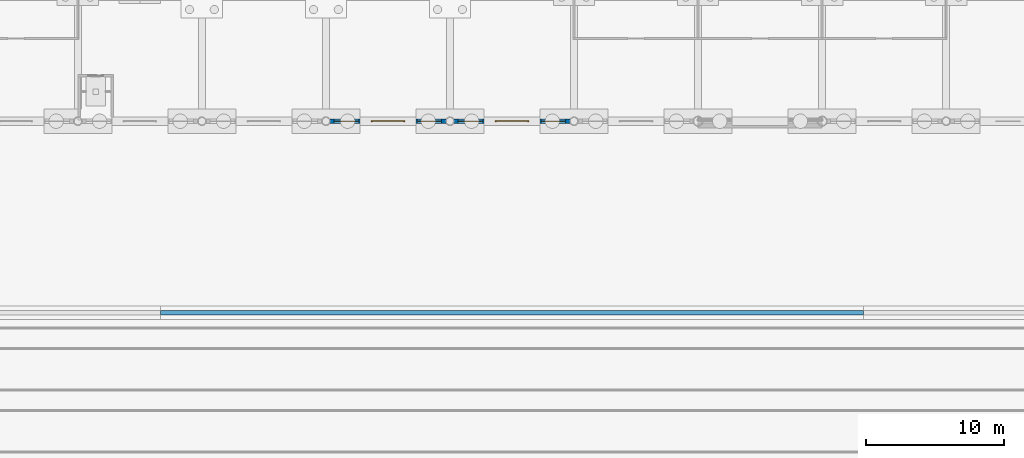
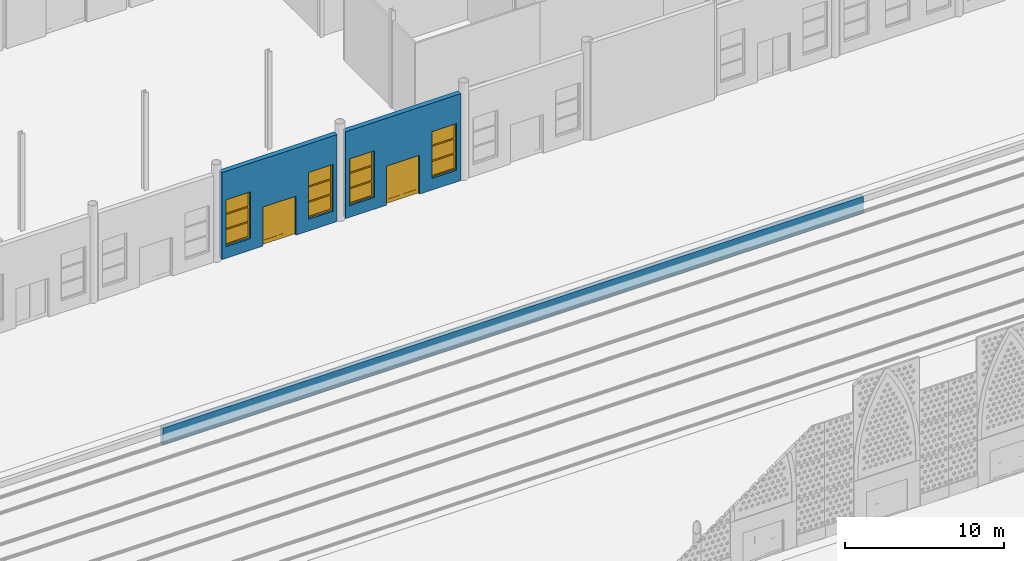
# One storey, part 124 of 250: 4 windows, 3 walls, 2 doors, 6 openings.
"""IFC4 building model written with IfcOpenShell, lengths in metres."""

from ifc_helpers import new_model, si_unit, direction, frame, frame_2d, origin, place, context, subcontext, project, spatial, polyline, rectangle, outline, extrude, material, layer, layer_set, type_object, element, fill, save


model = new_model("IFC4")

# Units and contexts
model_context = context("Model", 3, precision=1e-05, world=origin(), true_north=direction((0.0, 1.0)))
body_context = subcontext(model_context, "Body", "Model", "MODEL_VIEW")
ifc_project = project(units=[si_unit("LENGTHUNIT", "METRE"), si_unit("AREAUNIT", "SQUARE_METRE"), si_unit("VOLUMEUNIT", "CUBIC_METRE"), si_unit("PLANEANGLEUNIT", "RADIAN"), si_unit("MASSUNIT", "GRAM", prefix="KILO")], contexts=[model_context])

# Site, building, storey
site_placement = place(None, origin())
site = spatial("IfcSite", under=ifc_project, at=site_placement, CompositionType="ELEMENT")
building_placement = place(site_placement, origin())
building = spatial("IfcBuilding", under=site, at=building_placement, Name="Baradari Gate Terminus", CompositionType="ELEMENT")
storey_placement = place(building_placement, origin())
storey = spatial("IfcBuildingStorey", under=building, at=storey_placement, Name="L00", CompositionType="ELEMENT", Elevation=0.0)

# Wall
ifc_material_1 = material(Name="Concrete C40/50", Category="concrete")
ifc_layer_1 = layer(ifc_material_1, 0.300048828125)
ifc_layer_set_1 = layer_set([ifc_layer_1], Name="Concrete C40/50")
wall_type_1 = type_object("IfcWallType", Name="Platform edge wall CWL06 300", PredefinedType="SOLIDWALL", material=ifc_layer_set_1)
wall_1_placement = place(storey_placement, frame((141.0, 67.10009765625, -1.572021484375), z_axis=(0.0, 0.0, 1.0), x_axis=(1.0, 0.0, 0.0)))
element("IfcWall", 1, at=wall_1_placement, inside=storey, type_object=wall_type_1, Name="Platform 2 edge wall 3", PredefinedType="SOLIDWALL", context=body_context, shape_type="SweptSolid", body=[
    extrude(rectangle(XDim=51.0, YDim=0.300048828125, at=frame_2d((25.5, 0.0))), origin(), (0.0, 0.0, 1.0), 1.322021484375),
])

# Wall, openings, door, windows
ifc_material_2 = material(Name="Sandstone masonry", Category="masonry")
ifc_layer_2 = layer(ifc_material_2, 0.35009765625)
ifc_layer_set_2 = layer_set([ifc_layer_2], Name="Sandstone masonry")
wall_type_2 = type_object("IfcWallType", Name="Sandstone masonry wall WS-1 350", PredefinedType="SOLIDWALL", material=ifc_layer_set_2)
wall_2_placement = place(storey_placement, frame((153.304931640625, 81.0, 0.0), z_axis=(0.0, 0.0, 1.0), x_axis=(1.0, 0.0, 0.0)))
wall_2 = element("IfcWall", 2, at=wall_2_placement, inside=storey, type_object=wall_type_2, Name="platform side HS bay 18 L00", PredefinedType="SOLIDWALL", context=body_context, shape_type="SweptSolid", body=[
    extrude(rectangle(XDim=8.39013671875, YDim=0.35009765625, at=frame_2d((4.195068359375, 0.0))), origin(), (0.0, 0.0, 1.0), 6.692138671875),
])
opening_1_placement = place(wall_2_placement, frame((2.9951171875, 0.0, 0.0)))
opening_1 = element("IfcOpeningElement", 3, at=opening_1_placement, cuts=wall_2, Name="Opening D00-038", PredefinedType="OPENING", context=body_context, shape_type="SweptSolid", body=[
    extrude(rectangle(XDim=2.39990234375, YDim=3.0, at=frame_2d((1.199951171875, 1.5))), frame((0.0, 0.18505859375, 0.0), z_axis=(0.0, -1.0, 0.0), x_axis=(1.0, 0.0, 0.0)), (0.0, 0.0, 1.0), 0.3701171875),
])
opening_2_placement = place(wall_2_placement, frame((0.294921875, 0.0, 0.89990234375)))
opening_2 = element("IfcOpeningElement", 4, at=opening_2_placement, cuts=wall_2, Name="Opening W3", PredefinedType="OPENING", context=body_context, shape_type="SweptSolid", body=[
    extrude(rectangle(XDim=1.800048828125, YDim=3.60009765625, at=frame_2d((0.89990234375, 1.800048828125))), frame((0.0, 0.18505859375, 0.0), z_axis=(0.0, -1.0, 0.0), x_axis=(1.0, 0.0, 0.0)), (0.0, 0.0, 1.0), 0.3701171875),
])
opening_3_placement = place(wall_2_placement, frame((6.294921875, 0.0, 0.89990234375)))
opening_3 = element("IfcOpeningElement", 5, at=opening_3_placement, cuts=wall_2, Name="Opening W3", PredefinedType="OPENING", context=body_context, shape_type="SweptSolid", body=[
    extrude(rectangle(XDim=1.800048828125, YDim=3.60009765625, at=frame_2d((0.89990234375, 1.800048828125))), frame((0.0, 0.18505859375, 0.0), z_axis=(0.0, -1.0, 0.0), x_axis=(1.0, 0.0, 0.0)), (0.0, 0.0, 1.0), 0.3701171875),
])
ifc_material_3 = material(Name="Aluminium 6063-T6", Category="aluminium")
door_type = type_object("IfcDoorType", Name="Platform door pair, glazed DT-7 2400x3000", OperationType="DOUBLE_DOOR_SINGLE_SWING", PredefinedType="DOOR", material=ifc_material_3)
door_1_placement = place(opening_1_placement, frame((2.39990234375, 0.0, 0.0), z_axis=(0.0, 0.0, 1.0), x_axis=(-1.0, 0.0, 0.0)))
door_1 = element("IfcDoor", 6, at=door_1_placement, inside=storey, type_object=door_type, Name="Exit door Ticket Hall (Barrier Line)", OperationType="DOUBLE_DOOR_SINGLE_SWING", OverallHeight=3.0, OverallWidth=2.4, PredefinedType="DOOR", context=body_context, shape_type="SweptSolid", body=[
    extrude(outline(polyline([(0.0, 0.0), (0.070068359375, 0.0), (0.070068359375, 2.929931640625), (2.329833984375, 2.929931640625), (2.329833984375, 0.0), (2.39990234375, 0.0), (2.39990234375, 3.0), (0.0, 3.0), (0.0, 0.0)])), frame((0.0, 0.02490234375, 0.0), z_axis=(0.0, -1.0, 0.0), x_axis=(1.0, 0.0, 0.0)), (0.0, 0.0, 1.0), 0.050048828125),
    extrude(outline(polyline([(0.073974609375, 0.010009765625), (1.19677734375, 0.010009765625), (1.19677734375, 2.926025390625), (0.073974609375, 2.926025390625), (0.073974609375, 0.010009765625)]), holes=[polyline([(0.1640625, 0.31005859375), (1.10693359375, 0.31005859375), (1.10693359375, 2.8359375), (0.1640625, 2.8359375), (0.1640625, 0.31005859375)])]), frame((0.0, 0.017333984375, 0.0), z_axis=(0.0, -1.0, 0.0), x_axis=(1.0, 0.0, 0.0)), (0.0, 0.0, 1.0), 0.034912109375),
    extrude(rectangle(XDim=0.94287109375, YDim=2.52587890625, at=frame_2d((0.635498046875, 1.572998046875))), frame((0.0, 0.005859375, 0.0), z_axis=(0.0, -1.0, 0.0), x_axis=(1.0, 0.0, 0.0)), (0.0, 0.0, 1.0), 0.011962890625),
    extrude(outline(polyline([(1.203125, 0.010009765625), (2.325927734375, 0.010009765625), (2.325927734375, 2.926025390625), (1.203125, 2.926025390625), (1.203125, 0.010009765625)]), holes=[polyline([(1.29296875, 0.31005859375), (2.23583984375, 0.31005859375), (2.23583984375, 2.8359375), (1.29296875, 2.8359375), (1.29296875, 0.31005859375)])]), frame((0.0, 0.017333984375, 0.0), z_axis=(0.0, -1.0, 0.0), x_axis=(1.0, 0.0, 0.0)), (0.0, 0.0, 1.0), 0.034912109375),
    extrude(rectangle(XDim=0.94287109375, YDim=2.52587890625, at=frame_2d((1.764404296875, 1.572998046875))), frame((0.0, 0.005859375, 0.0), z_axis=(0.0, -1.0, 0.0), x_axis=(1.0, 0.0, 0.0)), (0.0, 0.0, 1.0), 0.011962890625),
])
fill(opening_1, door_1)
ifc_material_4 = material(Name="Aluminium 6063-T6", Category="aluminium")
window_type = type_object("IfcWindowType", Name="Tall window, 3-light W3 1800x3600", PartitioningType="TRIPLE_PANEL_HORIZONTAL", PredefinedType="WINDOW", material=ifc_material_4)
window_1_placement = place(opening_2_placement, origin())
window_1 = element("IfcWindow", 7, at=window_1_placement, inside=storey, type_object=window_type, Name="Window W3 HS/17", OverallHeight=3.6, OverallWidth=1.8, PartitioningType="TRIPLE_PANEL_HORIZONTAL", PredefinedType="WINDOW", context=body_context, shape_type="SweptSolid", body=[
    extrude(outline(polyline([(0.0, 0.0), (1.800048828125, 0.0), (1.800048828125, 3.60009765625), (0.0, 3.60009765625), (0.0, 0.0)]), holes=[polyline([(0.070068359375, 0.070068359375), (1.72998046875, 0.070068359375), (1.72998046875, 3.530029296875), (0.070068359375, 3.530029296875), (0.070068359375, 0.070068359375)])]), frame((0.0, 0.030029296875, 0.0), z_axis=(0.0, -1.0, 0.0), x_axis=(1.0, 0.0, 0.0)), (0.0, 0.0, 1.0), 0.06005859375),
    extrude(rectangle(XDim=1.659912109375, YDim=0.0400390625, at=frame_2d((0.89990234375, 1.216796875))), frame((0.0, 0.021484375, 0.0), z_axis=(0.0, -1.0, 0.0), x_axis=(1.0, 0.0, 0.0)), (0.0, 0.0, 1.0), 0.04296875),
    extrude(rectangle(XDim=1.659912109375, YDim=0.0400390625, at=frame_2d((0.89990234375, 2.38330078125))), frame((0.0, 0.021484375, 0.0), z_axis=(0.0, -1.0, 0.0), x_axis=(1.0, 0.0, 0.0)), (0.0, 0.0, 1.0), 0.04296875),
    extrude(outline(polyline([(0.070068359375, 0.070068359375), (1.72998046875, 0.070068359375), (1.72998046875, 1.19677734375), (0.070068359375, 1.19677734375), (0.070068359375, 0.070068359375)]), holes=[polyline([(0.10009765625, 0.10009765625), (1.699951171875, 0.10009765625), (1.699951171875, 1.166748046875), (0.10009765625, 1.166748046875), (0.10009765625, 0.10009765625)])]), frame((0.0, 0.0224609375, 0.0), z_axis=(0.0, -1.0, 0.0), x_axis=(1.0, 0.0, 0.0)), (0.0, 0.0, 1.0), 0.044921875),
    extrude(rectangle(XDim=1.599853515625, YDim=1.066650390625, at=frame_2d((0.89990234375, 0.63330078125))), frame((0.0, 0.006103515625, 0.0), z_axis=(0.0, -1.0, 0.0), x_axis=(1.0, 0.0, 0.0)), (0.0, 0.0, 1.0), 0.01220703125),
    extrude(outline(polyline([(0.070068359375, 1.23681640625), (1.72998046875, 1.23681640625), (1.72998046875, 2.36328125), (0.070068359375, 2.36328125), (0.070068359375, 1.23681640625)]), holes=[polyline([(0.10009765625, 1.266845703125), (1.699951171875, 1.266845703125), (1.699951171875, 2.333251953125), (0.10009765625, 2.333251953125), (0.10009765625, 1.266845703125)])]), frame((0.0, 0.0224609375, 0.0), z_axis=(0.0, -1.0, 0.0), x_axis=(1.0, 0.0, 0.0)), (0.0, 0.0, 1.0), 0.044921875),
    extrude(rectangle(XDim=1.599853515625, YDim=1.06640625, at=frame_2d((0.89990234375, 1.800048828125))), frame((0.0, 0.006103515625, 0.0), z_axis=(0.0, -1.0, 0.0), x_axis=(1.0, 0.0, 0.0)), (0.0, 0.0, 1.0), 0.01220703125),
    extrude(outline(polyline([(0.070068359375, 2.4033203125), (1.72998046875, 2.4033203125), (1.72998046875, 3.530029296875), (0.070068359375, 3.530029296875), (0.070068359375, 2.4033203125)]), holes=[polyline([(0.10009765625, 2.433349609375), (1.699951171875, 2.433349609375), (1.699951171875, 3.5), (0.10009765625, 3.5), (0.10009765625, 2.433349609375)])]), frame((0.0, 0.0224609375, 0.0), z_axis=(0.0, -1.0, 0.0), x_axis=(1.0, 0.0, 0.0)), (0.0, 0.0, 1.0), 0.044921875),
    extrude(rectangle(XDim=1.599853515625, YDim=1.066650390625, at=frame_2d((0.89990234375, 2.966796875))), frame((0.0, 0.006103515625, 0.0), z_axis=(0.0, -1.0, 0.0), x_axis=(1.0, 0.0, 0.0)), (0.0, 0.0, 1.0), 0.01220703125),
])
fill(opening_2, window_1)
window_2_placement = place(opening_3_placement, origin())
window_2 = element("IfcWindow", 8, at=window_2_placement, inside=storey, type_object=window_type, Name="Window W3 HS/17", OverallHeight=3.6, OverallWidth=1.8, PartitioningType="TRIPLE_PANEL_HORIZONTAL", PredefinedType="WINDOW", context=body_context, shape_type="SweptSolid", body=[
    extrude(outline(polyline([(0.0, 0.0), (1.800048828125, 0.0), (1.800048828125, 3.60009765625), (0.0, 3.60009765625), (0.0, 0.0)]), holes=[polyline([(0.070068359375, 0.070068359375), (1.72998046875, 0.070068359375), (1.72998046875, 3.530029296875), (0.070068359375, 3.530029296875), (0.070068359375, 0.070068359375)])]), frame((0.0, 0.030029296875, 0.0), z_axis=(0.0, -1.0, 0.0), x_axis=(1.0, 0.0, 0.0)), (0.0, 0.0, 1.0), 0.06005859375),
    extrude(rectangle(XDim=1.659912109375, YDim=0.0400390625, at=frame_2d((0.89990234375, 1.216796875))), frame((0.0, 0.021484375, 0.0), z_axis=(0.0, -1.0, 0.0), x_axis=(1.0, 0.0, 0.0)), (0.0, 0.0, 1.0), 0.04296875),
    extrude(rectangle(XDim=1.659912109375, YDim=0.0400390625, at=frame_2d((0.89990234375, 2.38330078125))), frame((0.0, 0.021484375, 0.0), z_axis=(0.0, -1.0, 0.0), x_axis=(1.0, 0.0, 0.0)), (0.0, 0.0, 1.0), 0.04296875),
    extrude(outline(polyline([(0.070068359375, 0.070068359375), (1.72998046875, 0.070068359375), (1.72998046875, 1.19677734375), (0.070068359375, 1.19677734375), (0.070068359375, 0.070068359375)]), holes=[polyline([(0.10009765625, 0.10009765625), (1.699951171875, 0.10009765625), (1.699951171875, 1.166748046875), (0.10009765625, 1.166748046875), (0.10009765625, 0.10009765625)])]), frame((0.0, 0.0224609375, 0.0), z_axis=(0.0, -1.0, 0.0), x_axis=(1.0, 0.0, 0.0)), (0.0, 0.0, 1.0), 0.044921875),
    extrude(rectangle(XDim=1.599853515625, YDim=1.066650390625, at=frame_2d((0.89990234375, 0.63330078125))), frame((0.0, 0.006103515625, 0.0), z_axis=(0.0, -1.0, 0.0), x_axis=(1.0, 0.0, 0.0)), (0.0, 0.0, 1.0), 0.01220703125),
    extrude(outline(polyline([(0.070068359375, 1.23681640625), (1.72998046875, 1.23681640625), (1.72998046875, 2.36328125), (0.070068359375, 2.36328125), (0.070068359375, 1.23681640625)]), holes=[polyline([(0.10009765625, 1.266845703125), (1.699951171875, 1.266845703125), (1.699951171875, 2.333251953125), (0.10009765625, 2.333251953125), (0.10009765625, 1.266845703125)])]), frame((0.0, 0.0224609375, 0.0), z_axis=(0.0, -1.0, 0.0), x_axis=(1.0, 0.0, 0.0)), (0.0, 0.0, 1.0), 0.044921875),
    extrude(rectangle(XDim=1.599853515625, YDim=1.06640625, at=frame_2d((0.89990234375, 1.800048828125))), frame((0.0, 0.006103515625, 0.0), z_axis=(0.0, -1.0, 0.0), x_axis=(1.0, 0.0, 0.0)), (0.0, 0.0, 1.0), 0.01220703125),
    extrude(outline(polyline([(0.070068359375, 2.4033203125), (1.72998046875, 2.4033203125), (1.72998046875, 3.530029296875), (0.070068359375, 3.530029296875), (0.070068359375, 2.4033203125)]), holes=[polyline([(0.10009765625, 2.433349609375), (1.699951171875, 2.433349609375), (1.699951171875, 3.5), (0.10009765625, 3.5), (0.10009765625, 2.433349609375)])]), frame((0.0, 0.0224609375, 0.0), z_axis=(0.0, -1.0, 0.0), x_axis=(1.0, 0.0, 0.0)), (0.0, 0.0, 1.0), 0.044921875),
    extrude(rectangle(XDim=1.599853515625, YDim=1.066650390625, at=frame_2d((0.89990234375, 2.966796875))), frame((0.0, 0.006103515625, 0.0), z_axis=(0.0, -1.0, 0.0), x_axis=(1.0, 0.0, 0.0)), (0.0, 0.0, 1.0), 0.01220703125),
])
fill(opening_3, window_2)

wall_3_placement = place(storey_placement, frame((162.304931640625, 81.0, 0.0), z_axis=(0.0, 0.0, 1.0), x_axis=(1.0, 0.0, 0.0)))
wall_3 = element("IfcWall", 9, at=wall_3_placement, inside=storey, type_object=wall_type_2, Name="platform side HS bay 19 L00", PredefinedType="SOLIDWALL", context=body_context, shape_type="SweptSolid", body=[
    extrude(rectangle(XDim=8.39013671875, YDim=0.35009765625, at=frame_2d((4.195068359375, 0.0))), origin(), (0.0, 0.0, 1.0), 6.692138671875),
])
opening_4_placement = place(wall_3_placement, frame((2.9951171875, 0.0, 0.0)))
opening_4 = element("IfcOpeningElement", 10, at=opening_4_placement, cuts=wall_3, Name="Opening D00-039", PredefinedType="OPENING", context=body_context, shape_type="SweptSolid", body=[
    extrude(rectangle(XDim=2.39990234375, YDim=3.0, at=frame_2d((1.199951171875, 1.5))), frame((0.0, 0.18505859375, 0.0), z_axis=(0.0, -1.0, 0.0), x_axis=(1.0, 0.0, 0.0)), (0.0, 0.0, 1.0), 0.3701171875),
])
opening_5_placement = place(wall_3_placement, frame((0.294921875, 0.0, 0.89990234375)))
opening_5 = element("IfcOpeningElement", 11, at=opening_5_placement, cuts=wall_3, Name="Opening W3", PredefinedType="OPENING", context=body_context, shape_type="SweptSolid", body=[
    extrude(rectangle(XDim=1.800048828125, YDim=3.60009765625, at=frame_2d((0.89990234375, 1.800048828125))), frame((0.0, 0.18505859375, 0.0), z_axis=(0.0, -1.0, 0.0), x_axis=(1.0, 0.0, 0.0)), (0.0, 0.0, 1.0), 0.3701171875),
])
opening_6_placement = place(wall_3_placement, frame((6.294921875, 0.0, 0.89990234375)))
opening_6 = element("IfcOpeningElement", 12, at=opening_6_placement, cuts=wall_3, Name="Opening W3", PredefinedType="OPENING", context=body_context, shape_type="SweptSolid", body=[
    extrude(rectangle(XDim=1.800048828125, YDim=3.60009765625, at=frame_2d((0.89990234375, 1.800048828125))), frame((0.0, 0.18505859375, 0.0), z_axis=(0.0, -1.0, 0.0), x_axis=(1.0, 0.0, 0.0)), (0.0, 0.0, 1.0), 0.3701171875),
])
door_2_placement = place(opening_4_placement, frame((2.39990234375, 0.0, 0.0), z_axis=(0.0, 0.0, 1.0), x_axis=(-1.0, 0.0, 0.0)))
door_2 = element("IfcDoor", 13, at=door_2_placement, inside=storey, type_object=door_type, Name="Exit door Ticket Hall (Barrier Line)", OperationType="DOUBLE_DOOR_SINGLE_SWING", OverallHeight=3.0, OverallWidth=2.4, PredefinedType="DOOR", context=body_context, shape_type="SweptSolid", body=[
    extrude(outline(polyline([(0.0, 0.0), (0.070068359375, 0.0), (0.070068359375, 2.929931640625), (2.329833984375, 2.929931640625), (2.329833984375, 0.0), (2.39990234375, 0.0), (2.39990234375, 3.0), (0.0, 3.0), (0.0, 0.0)])), frame((0.0, 0.02490234375, 0.0), z_axis=(0.0, -1.0, 0.0), x_axis=(1.0, 0.0, 0.0)), (0.0, 0.0, 1.0), 0.050048828125),
    extrude(outline(polyline([(0.073974609375, 0.010009765625), (1.19677734375, 0.010009765625), (1.19677734375, 2.926025390625), (0.073974609375, 2.926025390625), (0.073974609375, 0.010009765625)]), holes=[polyline([(0.1640625, 0.31005859375), (1.10693359375, 0.31005859375), (1.10693359375, 2.8359375), (0.1640625, 2.8359375), (0.1640625, 0.31005859375)])]), frame((0.0, 0.017333984375, 0.0), z_axis=(0.0, -1.0, 0.0), x_axis=(1.0, 0.0, 0.0)), (0.0, 0.0, 1.0), 0.034912109375),
    extrude(rectangle(XDim=0.94287109375, YDim=2.52587890625, at=frame_2d((0.635498046875, 1.572998046875))), frame((0.0, 0.005859375, 0.0), z_axis=(0.0, -1.0, 0.0), x_axis=(1.0, 0.0, 0.0)), (0.0, 0.0, 1.0), 0.011962890625),
    extrude(outline(polyline([(1.203125, 0.010009765625), (2.325927734375, 0.010009765625), (2.325927734375, 2.926025390625), (1.203125, 2.926025390625), (1.203125, 0.010009765625)]), holes=[polyline([(1.29296875, 0.31005859375), (2.23583984375, 0.31005859375), (2.23583984375, 2.8359375), (1.29296875, 2.8359375), (1.29296875, 0.31005859375)])]), frame((0.0, 0.017333984375, 0.0), z_axis=(0.0, -1.0, 0.0), x_axis=(1.0, 0.0, 0.0)), (0.0, 0.0, 1.0), 0.034912109375),
    extrude(rectangle(XDim=0.94287109375, YDim=2.52587890625, at=frame_2d((1.764404296875, 1.572998046875))), frame((0.0, 0.005859375, 0.0), z_axis=(0.0, -1.0, 0.0), x_axis=(1.0, 0.0, 0.0)), (0.0, 0.0, 1.0), 0.011962890625),
])
fill(opening_4, door_2)
window_3_placement = place(opening_5_placement, origin())
window_3 = element("IfcWindow", 14, at=window_3_placement, inside=storey, type_object=window_type, Name="Window W3 HS/18", OverallHeight=3.6, OverallWidth=1.8, PartitioningType="TRIPLE_PANEL_HORIZONTAL", PredefinedType="WINDOW", context=body_context, shape_type="SweptSolid", body=[
    extrude(outline(polyline([(0.0, 0.0), (1.800048828125, 0.0), (1.800048828125, 3.60009765625), (0.0, 3.60009765625), (0.0, 0.0)]), holes=[polyline([(0.070068359375, 0.070068359375), (1.72998046875, 0.070068359375), (1.72998046875, 3.530029296875), (0.070068359375, 3.530029296875), (0.070068359375, 0.070068359375)])]), frame((0.0, 0.030029296875, 0.0), z_axis=(0.0, -1.0, 0.0), x_axis=(1.0, 0.0, 0.0)), (0.0, 0.0, 1.0), 0.06005859375),
    extrude(rectangle(XDim=1.659912109375, YDim=0.0400390625, at=frame_2d((0.89990234375, 1.216796875))), frame((0.0, 0.021484375, 0.0), z_axis=(0.0, -1.0, 0.0), x_axis=(1.0, 0.0, 0.0)), (0.0, 0.0, 1.0), 0.04296875),
    extrude(rectangle(XDim=1.659912109375, YDim=0.0400390625, at=frame_2d((0.89990234375, 2.38330078125))), frame((0.0, 0.021484375, 0.0), z_axis=(0.0, -1.0, 0.0), x_axis=(1.0, 0.0, 0.0)), (0.0, 0.0, 1.0), 0.04296875),
    extrude(outline(polyline([(0.070068359375, 0.070068359375), (1.72998046875, 0.070068359375), (1.72998046875, 1.19677734375), (0.070068359375, 1.19677734375), (0.070068359375, 0.070068359375)]), holes=[polyline([(0.10009765625, 0.10009765625), (1.699951171875, 0.10009765625), (1.699951171875, 1.166748046875), (0.10009765625, 1.166748046875), (0.10009765625, 0.10009765625)])]), frame((0.0, 0.0224609375, 0.0), z_axis=(0.0, -1.0, 0.0), x_axis=(1.0, 0.0, 0.0)), (0.0, 0.0, 1.0), 0.044921875),
    extrude(rectangle(XDim=1.599853515625, YDim=1.066650390625, at=frame_2d((0.89990234375, 0.63330078125))), frame((0.0, 0.006103515625, 0.0), z_axis=(0.0, -1.0, 0.0), x_axis=(1.0, 0.0, 0.0)), (0.0, 0.0, 1.0), 0.01220703125),
    extrude(outline(polyline([(0.070068359375, 1.23681640625), (1.72998046875, 1.23681640625), (1.72998046875, 2.36328125), (0.070068359375, 2.36328125), (0.070068359375, 1.23681640625)]), holes=[polyline([(0.10009765625, 1.266845703125), (1.699951171875, 1.266845703125), (1.699951171875, 2.333251953125), (0.10009765625, 2.333251953125), (0.10009765625, 1.266845703125)])]), frame((0.0, 0.0224609375, 0.0), z_axis=(0.0, -1.0, 0.0), x_axis=(1.0, 0.0, 0.0)), (0.0, 0.0, 1.0), 0.044921875),
    extrude(rectangle(XDim=1.599853515625, YDim=1.06640625, at=frame_2d((0.89990234375, 1.800048828125))), frame((0.0, 0.006103515625, 0.0), z_axis=(0.0, -1.0, 0.0), x_axis=(1.0, 0.0, 0.0)), (0.0, 0.0, 1.0), 0.01220703125),
    extrude(outline(polyline([(0.070068359375, 2.4033203125), (1.72998046875, 2.4033203125), (1.72998046875, 3.530029296875), (0.070068359375, 3.530029296875), (0.070068359375, 2.4033203125)]), holes=[polyline([(0.10009765625, 2.433349609375), (1.699951171875, 2.433349609375), (1.699951171875, 3.5), (0.10009765625, 3.5), (0.10009765625, 2.433349609375)])]), frame((0.0, 0.0224609375, 0.0), z_axis=(0.0, -1.0, 0.0), x_axis=(1.0, 0.0, 0.0)), (0.0, 0.0, 1.0), 0.044921875),
    extrude(rectangle(XDim=1.599853515625, YDim=1.066650390625, at=frame_2d((0.89990234375, 2.966796875))), frame((0.0, 0.006103515625, 0.0), z_axis=(0.0, -1.0, 0.0), x_axis=(1.0, 0.0, 0.0)), (0.0, 0.0, 1.0), 0.01220703125),
])
fill(opening_5, window_3)
window_4_placement = place(opening_6_placement, origin())
window_4 = element("IfcWindow", 15, at=window_4_placement, inside=storey, type_object=window_type, Name="Window W3 HS/18", OverallHeight=3.6, OverallWidth=1.8, PartitioningType="TRIPLE_PANEL_HORIZONTAL", PredefinedType="WINDOW", context=body_context, shape_type="SweptSolid", body=[
    extrude(outline(polyline([(0.0, 0.0), (1.800048828125, 0.0), (1.800048828125, 3.60009765625), (0.0, 3.60009765625), (0.0, 0.0)]), holes=[polyline([(0.070068359375, 0.070068359375), (1.72998046875, 0.070068359375), (1.72998046875, 3.530029296875), (0.070068359375, 3.530029296875), (0.070068359375, 0.070068359375)])]), frame((0.0, 0.030029296875, 0.0), z_axis=(0.0, -1.0, 0.0), x_axis=(1.0, 0.0, 0.0)), (0.0, 0.0, 1.0), 0.06005859375),
    extrude(rectangle(XDim=1.659912109375, YDim=0.0400390625, at=frame_2d((0.89990234375, 1.216796875))), frame((0.0, 0.021484375, 0.0), z_axis=(0.0, -1.0, 0.0), x_axis=(1.0, 0.0, 0.0)), (0.0, 0.0, 1.0), 0.04296875),
    extrude(rectangle(XDim=1.659912109375, YDim=0.0400390625, at=frame_2d((0.89990234375, 2.38330078125))), frame((0.0, 0.021484375, 0.0), z_axis=(0.0, -1.0, 0.0), x_axis=(1.0, 0.0, 0.0)), (0.0, 0.0, 1.0), 0.04296875),
    extrude(outline(polyline([(0.070068359375, 0.070068359375), (1.72998046875, 0.070068359375), (1.72998046875, 1.19677734375), (0.070068359375, 1.19677734375), (0.070068359375, 0.070068359375)]), holes=[polyline([(0.10009765625, 0.10009765625), (1.699951171875, 0.10009765625), (1.699951171875, 1.166748046875), (0.10009765625, 1.166748046875), (0.10009765625, 0.10009765625)])]), frame((0.0, 0.0224609375, 0.0), z_axis=(0.0, -1.0, 0.0), x_axis=(1.0, 0.0, 0.0)), (0.0, 0.0, 1.0), 0.044921875),
    extrude(rectangle(XDim=1.599853515625, YDim=1.066650390625, at=frame_2d((0.89990234375, 0.63330078125))), frame((0.0, 0.006103515625, 0.0), z_axis=(0.0, -1.0, 0.0), x_axis=(1.0, 0.0, 0.0)), (0.0, 0.0, 1.0), 0.01220703125),
    extrude(outline(polyline([(0.070068359375, 1.23681640625), (1.72998046875, 1.23681640625), (1.72998046875, 2.36328125), (0.070068359375, 2.36328125), (0.070068359375, 1.23681640625)]), holes=[polyline([(0.10009765625, 1.266845703125), (1.699951171875, 1.266845703125), (1.699951171875, 2.333251953125), (0.10009765625, 2.333251953125), (0.10009765625, 1.266845703125)])]), frame((0.0, 0.0224609375, 0.0), z_axis=(0.0, -1.0, 0.0), x_axis=(1.0, 0.0, 0.0)), (0.0, 0.0, 1.0), 0.044921875),
    extrude(rectangle(XDim=1.599853515625, YDim=1.06640625, at=frame_2d((0.89990234375, 1.800048828125))), frame((0.0, 0.006103515625, 0.0), z_axis=(0.0, -1.0, 0.0), x_axis=(1.0, 0.0, 0.0)), (0.0, 0.0, 1.0), 0.01220703125),
    extrude(outline(polyline([(0.070068359375, 2.4033203125), (1.72998046875, 2.4033203125), (1.72998046875, 3.530029296875), (0.070068359375, 3.530029296875), (0.070068359375, 2.4033203125)]), holes=[polyline([(0.10009765625, 2.433349609375), (1.699951171875, 2.433349609375), (1.699951171875, 3.5), (0.10009765625, 3.5), (0.10009765625, 2.433349609375)])]), frame((0.0, 0.0224609375, 0.0), z_axis=(0.0, -1.0, 0.0), x_axis=(1.0, 0.0, 0.0)), (0.0, 0.0, 1.0), 0.044921875),
    extrude(rectangle(XDim=1.599853515625, YDim=1.066650390625, at=frame_2d((0.89990234375, 2.966796875))), frame((0.0, 0.006103515625, 0.0), z_axis=(0.0, -1.0, 0.0), x_axis=(1.0, 0.0, 0.0)), (0.0, 0.0, 1.0), 0.01220703125),
])
fill(opening_6, window_4)

save(model, "model.ifc")
